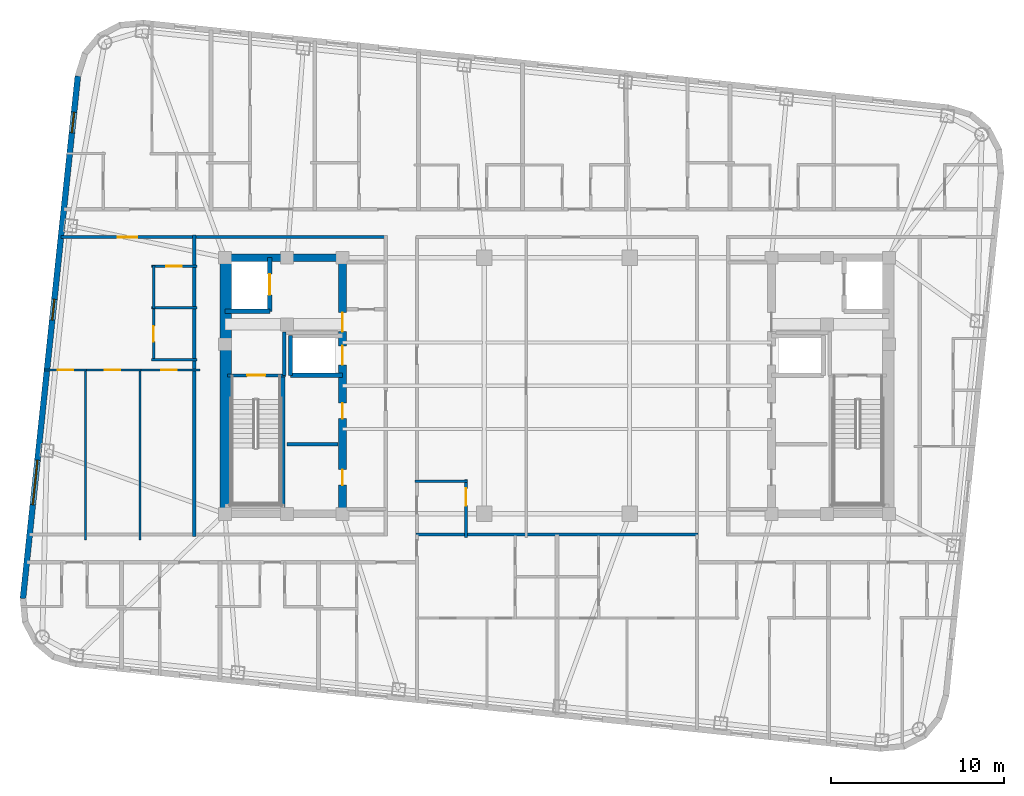
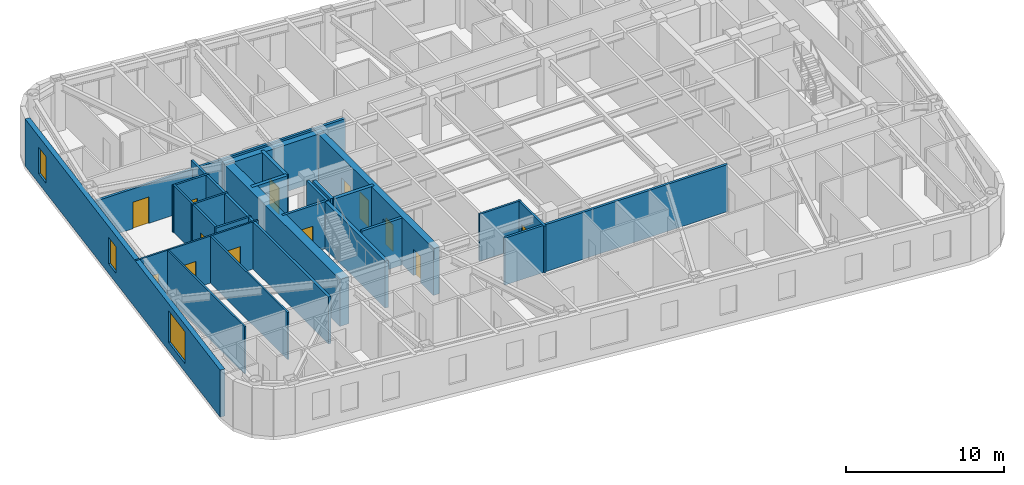
# One storey, part 4 of 11: 27 walls, 13 doors, 3 windows, 16 openings.
"""IFC4 building model written with IfcOpenShell, lengths in metres."""

from ifc_helpers import new_model, si_unit, direction, frame, frame_2d, origin, place, context, subcontext, project, spatial, rectangle, extrude, material, layer, layer_set, type_object, element, fill, save


model = new_model("IFC4")

# Units and contexts
model_context = context("Model", 3, precision=1e-05, world=origin(), true_north=direction((0.0, 1.0)))
body_context = subcontext(model_context, "Body", "Model", "MODEL_VIEW")
ifc_project = project(units=[si_unit("LENGTHUNIT", "METRE"), si_unit("AREAUNIT", "SQUARE_METRE"), si_unit("VOLUMEUNIT", "CUBIC_METRE"), si_unit("PLANEANGLEUNIT", "RADIAN"), si_unit("MASSUNIT", "GRAM", prefix="KILO")], contexts=[model_context])

# Site, building, storey
site_placement = place(None, origin())
site = spatial("IfcSite", under=ifc_project, at=site_placement, CompositionType="ELEMENT")
building_placement = place(site_placement, origin())
building = spatial("IfcBuilding", under=site, at=building_placement, Name="Voryun Gate Residences", CompositionType="ELEMENT")
storey_placement = place(building_placement, frame((0.0, 0.0, 295.10009765625)))
storey = spatial("IfcBuildingStorey", under=building, at=storey_placement, Name="L73", CompositionType="ELEMENT", Elevation=295.10009765625)

# Wall
ifc_material_1 = material(Name="Concrete C50/60", Category="concrete")
ifc_layer_1 = layer(ifc_material_1, 0.449951171875, Name="CW_CORE_450")
ifc_layer_set_1 = layer_set([ifc_layer_1], Name="Concrete C50/60")
wall_type_1 = type_object("IfcWallType", Name="CW_CORE_450", PredefinedType="SHEAR", material=ifc_layer_set_1)
wall_1_placement = place(storey_placement, frame((-19.425048828125, 7.39990234375, 0.0), z_axis=(0.0, 0.0, 1.0), x_axis=(1.0, 0.0, 0.0)))
element("IfcWall", 1, at=wall_1_placement, inside=storey, type_object=wall_type_1, Name="L73 Core shear wall CW-L73-WN", PredefinedType="SHEAR", context=body_context, shape_type="SweptSolid", body=[
    extrude(rectangle(XDim=7.25, YDim=0.449951171875, at=frame_2d((3.625, 0.0))), origin(), (0.0, 0.0, 1.0), 3.635009765625),
])

# Wall, openings, doors
wall_2_placement = place(storey_placement, frame((-12.39990234375, -7.39990234375, 0.0), z_axis=(0.0, 0.0, 1.0), x_axis=(0.0, 1.0, 0.0)))
wall_2 = element("IfcWall", 2, at=wall_2_placement, inside=storey, type_object=wall_type_1, Name="L73 Core shear wall CW-L73-WE", PredefinedType="SHEAR", context=body_context, shape_type="SweptSolid", body=[
    extrude(rectangle(XDim=14.7998046875, YDim=0.449951171875, at=frame_2d((7.39990234375, 0.0))), origin(), (0.0, 0.0, 1.0), 3.635009765625),
])
opening_1_placement = place(wall_2_placement, frame((8.60009765625, 0.0, 0.0)))
opening_1 = element("IfcOpeningElement", 3, at=opening_1_placement, cuts=wall_2, Name="Opening LD2", PredefinedType="OPENING", context=body_context, shape_type="SweptSolid", body=[
    extrude(rectangle(XDim=1.10009765625, YDim=2.050048828125, at=frame_2d((0.550048828125, 1.02490234375))), frame((0.0, 0.235107421875, 0.0), z_axis=(0.0, -1.0, 0.0), x_axis=(1.0, 0.0, 0.0)), (0.0, 0.0, 1.0), 0.469970703125),
])
opening_2_placement = place(wall_2_placement, frame((10.530029296875, 0.0, 0.0)))
opening_2 = element("IfcOpeningElement", 4, at=opening_2_placement, cuts=wall_2, Name="Opening D-FD60-2", PredefinedType="OPENING", context=body_context, shape_type="SweptSolid", body=[
    extrude(rectangle(XDim=1.10009765625, YDim=2.050048828125, at=frame_2d((0.550048828125, 1.02490234375))), frame((0.0, 0.235107421875, 0.0), z_axis=(0.0, -1.0, 0.0), x_axis=(1.0, 0.0, 0.0)), (0.0, 0.0, 1.0), 0.469970703125),
])
opening_3_placement = place(wall_2_placement, frame((1.64990234375, 0.0, 0.0)))
opening_3 = element("IfcOpeningElement", 5, at=opening_3_placement, cuts=wall_2, Name="Opening D-FD60-4", PredefinedType="OPENING", context=body_context, shape_type="SweptSolid", body=[
    extrude(rectangle(XDim=0.89990234375, YDim=2.050048828125, at=frame_2d((0.449951171875, 1.02490234375))), frame((0.0, 0.235107421875, 0.0), z_axis=(0.0, -1.0, 0.0), x_axis=(1.0, 0.0, 0.0)), (0.0, 0.0, 1.0), 0.469970703125),
])
opening_4_placement = place(wall_2_placement, frame((5.5, 0.0, 0.0)))
opening_4 = element("IfcOpeningElement", 6, at=opening_4_placement, cuts=wall_2, Name="Opening D-FD60-4", PredefinedType="OPENING", context=body_context, shape_type="SweptSolid", body=[
    extrude(rectangle(XDim=0.89990234375, YDim=2.050048828125, at=frame_2d((0.449951171875, 1.02490234375))), frame((0.0, 0.235107421875, 0.0), z_axis=(0.0, -1.0, 0.0), x_axis=(1.0, 0.0, 0.0)), (0.0, 0.0, 1.0), 0.469970703125),
])
ifc_material_2 = material(Name="Painted steel fire door", Category="steel")
door_type_1 = type_object("IfcDoorType", Name="DR_FD60_FFLOB_1100", OperationType="NOTDEFINED", PredefinedType="DOOR", material=ifc_material_2)
door_1_placement = place(opening_2_placement, origin())
door_1 = element("IfcDoor", 7, at=door_1_placement, inside=storey, type_object=door_type_1, Name="Door DR-L73-CLOB-W", OperationType="SINGLE_SWING_LEFT", OverallHeight=2.050048828125, OverallWidth=1.10009765625, PredefinedType="DOOR", context=body_context, shape_type="SweptSolid", body=[
    extrude(rectangle(XDim=1.10009765625, YDim=2.050048828125, at=frame_2d((0.550048828125, 1.02490234375))), frame((0.0, 0.02490234375, 0.0), z_axis=(0.0, -1.0, 0.0), x_axis=(1.0, 0.0, 0.0)), (0.0, 0.0, 1.0), 0.050048828125),
])
fill(opening_2, door_1)
ifc_material_3 = material(Name="Painted steel fire door", Category="steel")
door_type_2 = type_object("IfcDoorType", Name="DR_FD60_RISER_900", OperationType="NOTDEFINED", PredefinedType="DOOR", material=ifc_material_3)
door_2_placement = place(opening_3_placement, origin())
door_2 = element("IfcDoor", 8, at=door_2_placement, inside=storey, type_object=door_type_2, Name="Door DR-L73-RECW-HS", OperationType="SINGLE_SWING_LEFT", OverallHeight=2.050048828125, OverallWidth=0.89990234375, PredefinedType="DOOR", context=body_context, shape_type="SweptSolid", body=[
    extrude(rectangle(XDim=0.89990234375, YDim=2.050048828125, at=frame_2d((0.449951171875, 1.02490234375))), frame((0.0, 0.02490234375, 0.0), z_axis=(0.0, -1.0, 0.0), x_axis=(1.0, 0.0, 0.0)), (0.0, 0.0, 1.0), 0.050048828125),
])
fill(opening_3, door_2)
door_3_placement = place(opening_4_placement, origin())
door_3 = element("IfcDoor", 9, at=door_3_placement, inside=storey, type_object=door_type_2, Name="Door DR-L73-RECW-HN", OperationType="SINGLE_SWING_RIGHT", OverallHeight=2.050048828125, OverallWidth=0.89990234375, PredefinedType="DOOR", context=body_context, shape_type="SweptSolid", body=[
    extrude(rectangle(XDim=0.89990234375, YDim=2.050048828125, at=frame_2d((0.449951171875, 1.02490234375))), frame((0.0, 0.02490234375, 0.0), z_axis=(0.0, -1.0, 0.0), x_axis=(1.0, 0.0, 0.0)), (0.0, 0.0, 1.0), 0.050048828125),
])
fill(opening_4, door_3)
ifc_material_4 = material(Name="Anodised aluminium", Category="aluminium")
door_type_3 = type_object("IfcDoorType", Name="DR_LD_PASS_1100", OperationType="NOTDEFINED", PredefinedType="DOOR", material=ifc_material_4)
door_4_placement = place(opening_1_placement, origin())
door_4 = element("IfcDoor", 10, at=door_4_placement, inside=storey, type_object=door_type_3, Name="Lift EL-P7 sliding landing door L73", OperationType="SLIDING_TO_LEFT", OverallHeight=2.050048828125, OverallWidth=1.10009765625, PredefinedType="DOOR", context=body_context, shape_type="SweptSolid", body=[
    extrude(rectangle(XDim=1.10009765625, YDim=2.050048828125, at=frame_2d((0.550048828125, 1.02490234375))), frame((0.0, 0.02490234375, 0.0), z_axis=(0.0, -1.0, 0.0), x_axis=(1.0, 0.0, 0.0)), (0.0, 0.0, 1.0), 0.050048828125),
])
fill(opening_1, door_4)

# Wall
ifc_material_5 = material(Name="Concrete C60/75", Category="concrete")
ifc_layer_2 = layer(ifc_material_5, 0.64990234375, Name="CW_CORE_650")
ifc_layer_set_2 = layer_set([ifc_layer_2], Name="Concrete C60/75")
wall_type_2 = type_object("IfcWallType", Name="CW_CORE_650", PredefinedType="SHEAR", material=ifc_layer_set_2)
wall_3_placement = place(storey_placement, frame((-19.14501953125, -7.39990234375, 0.0), z_axis=(0.0, 0.0, 1.0), x_axis=(0.0, 1.0, 0.0)))
element("IfcWall", 11, at=wall_3_placement, inside=storey, type_object=wall_type_2, Name="L73 Core shear wall CW-L73-WW", PredefinedType="SHEAR", context=body_context, shape_type="SweptSolid", body=[
    extrude(rectangle(XDim=14.7998046875, YDim=0.64990234375, at=frame_2d((7.39990234375, 0.0))), origin(), (0.0, 0.0, 1.0), 3.635009765625),
])

# Wall, opening, door
ifc_material_6 = material(Name="Gypsum acoustic fireboard")
ifc_layer_3 = layer(ifc_material_6, 0.179931640625, Name="W_CORR_RATED_180")
ifc_layer_set_3 = layer_set([ifc_layer_3], Name="Gypsum acoustic fireboard")
wall_type_3 = type_object("IfcWallType", Name="W_CORR_RATED_180", PredefinedType="PARTITIONING", material=ifc_layer_set_3)
wall_4_placement = place(storey_placement, frame((-19.06005859375, 0.60009765625, 0.0), z_axis=(0.0, 0.0, 1.0), x_axis=(1.0, 0.0, 0.0)))
wall_4 = element("IfcWall", 12, at=wall_4_placement, inside=storey, type_object=wall_type_3, Name="Partition wall WP-L73-STV-W", PredefinedType="PARTITIONING", context=body_context, shape_type="SweptSolid", body=[
    extrude(rectangle(XDim=3.360107421875, YDim=0.179931640625, at=frame_2d((1.68017578125, 0.0))), origin(), (0.0, 0.0, 1.0), 3.635009765625),
])
opening_5_placement = place(wall_4_placement, frame((1.155029296875, 0.0, 0.0)))
opening_5 = element("IfcOpeningElement", 13, at=opening_5_placement, cuts=wall_4, Name="Opening D-FD60-1", PredefinedType="OPENING", context=body_context, shape_type="SweptSolid", body=[
    extrude(rectangle(XDim=1.050048828125, YDim=2.050048828125, at=frame_2d((0.52490234375, 1.02490234375))), frame((0.0, 0.099853515625, 0.0), z_axis=(0.0, -1.0, 0.0), x_axis=(1.0, 0.0, 0.0)), (0.0, 0.0, 1.0), 0.199951171875),
])
ifc_material_7 = material(Name="Painted steel fire door", Category="steel")
door_type_4 = type_object("IfcDoorType", Name="DR_FD60_STAIR_1050", OperationType="NOTDEFINED", PredefinedType="DOOR", material=ifc_material_7)
door_5_placement = place(opening_5_placement, origin())
door_5 = element("IfcDoor", 14, at=door_5_placement, inside=storey, type_object=door_type_4, Name="Door DR-L73-ST-W", OperationType="SINGLE_SWING_LEFT", OverallHeight=2.050048828125, OverallWidth=1.050048828125, PredefinedType="DOOR", context=body_context, shape_type="SweptSolid", body=[
    extrude(rectangle(XDim=1.050048828125, YDim=2.050048828125, at=frame_2d((0.52490234375, 1.02490234375))), frame((0.0, 0.02490234375, 0.0), z_axis=(0.0, -1.0, 0.0), x_axis=(1.0, 0.0, 0.0)), (0.0, 0.0, 1.0), 0.050048828125),
])
fill(opening_5, door_5)

wall_5_placement = place(storey_placement, frame((-28.6748046875, 8.590087890625, 0.0), z_axis=(0.0, 0.0, 1.0), x_axis=(1.0, 0.0, 0.0)))
wall_5 = element("IfcWall", 15, at=wall_5_placement, inside=storey, type_object=wall_type_3, Name="Partition wall WP-L73-CWING-WN", PredefinedType="PARTITIONING", context=body_context, shape_type="SweptSolid", body=[
    extrude(rectangle(XDim=18.794921875, YDim=0.179931640625, at=frame_2d((9.3974609375, 0.0))), origin(), (0.0, 0.0, 1.0), 3.074951171875),
])
opening_6_placement = place(wall_5_placement, frame((3.272216796875, 0.0, 0.0)))
opening_6 = element("IfcOpeningElement", 16, at=opening_6_placement, cuts=wall_5, Name="Opening D-UNIT-1", PredefinedType="OPENING", context=body_context, shape_type="SweptSolid", body=[
    extrude(rectangle(XDim=1.14990234375, YDim=2.050048828125, at=frame_2d((0.574951171875, 1.02490234375))), frame((0.0, 0.099853515625, 0.0), z_axis=(0.0, -1.0, 0.0), x_axis=(1.0, 0.0, 0.0)), (0.0, 0.0, 1.0), 0.199951171875),
])
ifc_material_8 = material(Name="Armoured timber-clad fire door", Category="wood")
door_type_5 = type_object("IfcDoorType", Name="DR_UNIT_ENTRY_1150", OperationType="NOTDEFINED", PredefinedType="DOOR", material=ifc_material_8)
door_6_placement = place(opening_6_placement, origin())
door_6 = element("IfcDoor", 17, at=door_6_placement, inside=storey, type_object=door_type_5, Name="Door DR-L73-WE1N", OperationType="SINGLE_SWING_LEFT", OverallHeight=2.050048828125, OverallWidth=1.14990234375, PredefinedType="DOOR", context=body_context, shape_type="SweptSolid", body=[
    extrude(rectangle(XDim=1.14990234375, YDim=2.050048828125, at=frame_2d((0.574951171875, 1.02490234375))), frame((0.0, 0.02490234375, 0.0), z_axis=(0.0, -1.0, 0.0), x_axis=(1.0, 0.0, 0.0)), (0.0, 0.0, 1.0), 0.050048828125),
])
fill(opening_6, door_6)

# Walls
wall_6_placement = place(storey_placement, frame((-8.14990234375, -8.590087890625, 0.0), z_axis=(0.0, 0.0, 1.0), x_axis=(1.0, 0.0, 0.0)))
element("IfcWall", 18, at=wall_6_placement, inside=storey, type_object=wall_type_3, Name="Partition wall WP-L73-Z3S", PredefinedType="PARTITIONING", context=body_context, shape_type="SweptSolid", body=[
    extrude(rectangle(XDim=16.2998046875, YDim=0.179931640625, at=frame_2d((8.14990234375, 0.0))), origin(), (0.0, 0.0, 1.0), 3.635009765625),
])
wall_7_placement = place(storey_placement, frame((-20.969970703125, -8.7099609375, 0.0), z_axis=(0.0, 0.0, 1.0), x_axis=(0.0, 1.0, 0.0)))
element("IfcWall", 19, at=wall_7_placement, inside=storey, type_object=wall_type_3, Name="Partition wall WP-L73-WCOR", PredefinedType="PARTITIONING", context=body_context, shape_type="SweptSolid", body=[
    extrude(rectangle(XDim=17.419921875, YDim=0.179931640625, at=frame_2d((8.7099609375, 0.0))), origin(), (0.0, 0.0, 1.0), 3.635009765625),
])

# Wall, openings, windows
ifc_material_9 = material(Name="Charcoal terracotta masonry", Category="masonry")
ifc_layer_4 = layer(ifc_material_9, 0.340087890625, Name="W_EXT_TERRACOTTA_340")
ifc_layer_set_4 = layer_set([ifc_layer_4], Name="Charcoal terracotta masonry")
wall_type_4 = type_object("IfcWallType", Name="W_EXT_TERRACOTTA_340", PredefinedType="ELEMENTEDWALL", material=ifc_layer_set_4)
wall_8_placement = place(storey_placement, frame((-30.8701171875, -12.295654296875, 0.0), z_axis=(0.0, 0.0, 1.0), x_axis=(0.104533282919, 0.994521388791, 0.0)))
wall_8 = element("IfcWall", 20, at=wall_8_placement, inside=storey, type_object=wall_type_4, Name="Exterior wall WEXT-L73-06", PredefinedType="ELEMENTEDWALL", context=body_context, shape_type="SweptSolid", body=[
    extrude(rectangle(XDim=30.366455078125, YDim=0.340087890625, at=frame_2d((15.18310546875, 0.0))), origin(), (0.0, 0.0, 1.0), 3.635009765625),
])
opening_7_placement = place(wall_8_placement, frame((5.441650390625, 0.0, 0.64990234375)))
opening_7 = element("IfcOpeningElement", 21, at=opening_7_placement, cuts=wall_8, Name="Opening WN4", PredefinedType="OPENING", context=body_context, shape_type="SweptSolid", body=[
    extrude(rectangle(XDim=2.60009765625, YDim=2.449951171875, at=frame_2d((1.300048828125, 1.22509765625))), frame((0.0, 0.179931640625, 0.0), z_axis=(0.0, -1.0, 0.0), x_axis=(1.0, 0.0, 0.0)), (0.0, 0.0, 1.0), 0.360107421875),
])
opening_8_placement = place(wall_8_placement, frame((27.066650390625, 0.0, 0.75)))
opening_8 = element("IfcOpeningElement", 22, at=opening_8_placement, cuts=wall_8, Name="Opening WN6", PredefinedType="OPENING", context=body_context, shape_type="SweptSolid", body=[
    extrude(rectangle(XDim=1.199951171875, YDim=2.050048828125, at=frame_2d((0.60009765625, 1.02490234375))), frame((0.0, 0.179931640625, 0.0), z_axis=(0.0, -1.0, 0.0), x_axis=(1.0, 0.0, 0.0)), (0.0, 0.0, 1.0), 0.360107421875),
])
opening_9_placement = place(wall_8_placement, frame((16.184814453125, 0.0, 0.75)))
opening_9 = element("IfcOpeningElement", 23, at=opening_9_placement, cuts=wall_8, Name="Opening WN6", PredefinedType="OPENING", context=body_context, shape_type="SweptSolid", body=[
    extrude(rectangle(XDim=1.199951171875, YDim=2.050048828125, at=frame_2d((0.60009765625, 1.02490234375))), frame((0.0, 0.179931640625, 0.0), z_axis=(0.0, -1.0, 0.0), x_axis=(1.0, 0.0, 0.0)), (0.0, 0.0, 1.0), 0.360107421875),
])
ifc_material_10 = material(Name="Laminated low-E glass", Category="glass")
window_type_1 = type_object("IfcWindowType", Name="WN_PENT_TALL_2600", PartitioningType="SINGLE_PANEL", PredefinedType="WINDOW", material=ifc_material_10)
window_1_placement = place(opening_7_placement, origin())
window_1 = element("IfcWindow", 24, at=window_1_placement, inside=storey, type_object=window_type_1, Name="Window WN-WEXT-L73-06-01", OverallHeight=2.449951171875, OverallWidth=2.60009765625, PartitioningType="SINGLE_PANEL", PredefinedType="WINDOW", context=body_context, shape_type="SweptSolid", body=[
    extrude(rectangle(XDim=2.60009765625, YDim=2.449951171875, at=frame_2d((1.300048828125, 1.22509765625))), frame((0.0, 0.030029296875, 0.0), z_axis=(0.0, -1.0, 0.0), x_axis=(1.0, 0.0, 0.0)), (0.0, 0.0, 1.0), 0.06005859375),
])
fill(opening_7, window_1)
ifc_material_11 = material(Name="Laminated low-E glass", Category="glass")
window_type_2 = type_object("IfcWindowType", Name="WN_POD_SLOT_1200", PartitioningType="SINGLE_PANEL", PredefinedType="WINDOW", material=ifc_material_11)
window_2_placement = place(opening_8_placement, origin())
window_2 = element("IfcWindow", 25, at=window_2_placement, inside=storey, type_object=window_type_2, Name="Window WN-L73-DWFIX-01", OverallHeight=2.050048828125, OverallWidth=1.199951171875, PartitioningType="SINGLE_PANEL", PredefinedType="WINDOW", context=body_context, shape_type="SweptSolid", body=[
    extrude(rectangle(XDim=1.199951171875, YDim=2.050048828125, at=frame_2d((0.60009765625, 1.02490234375))), frame((0.0, 0.030029296875, 0.0), z_axis=(0.0, -1.0, 0.0), x_axis=(1.0, 0.0, 0.0)), (0.0, 0.0, 1.0), 0.06005859375),
])
fill(opening_8, window_2)
window_3_placement = place(opening_9_placement, origin())
window_3 = element("IfcWindow", 26, at=window_3_placement, inside=storey, type_object=window_type_2, Name="Window WN-L73-DWFIX-25", OverallHeight=2.050048828125, OverallWidth=1.199951171875, PartitioningType="SINGLE_PANEL", PredefinedType="WINDOW", context=body_context, shape_type="SweptSolid", body=[
    extrude(rectangle(XDim=1.199951171875, YDim=2.050048828125, at=frame_2d((0.60009765625, 1.02490234375))), frame((0.0, 0.030029296875, 0.0), z_axis=(0.0, -1.0, 0.0), x_axis=(1.0, 0.0, 0.0)), (0.0, 0.0, 1.0), 0.06005859375),
])
fill(opening_9, window_3)

# Walls
ifc_material_12 = material(Name="Concrete C40/50", Category="concrete")
ifc_layer_5 = layer(ifc_material_12, 0.199951171875, Name="W_FF_LOBBY_200")
ifc_layer_set_5 = layer_set([ifc_layer_5], Name="Concrete C40/50")
wall_type_5 = type_object("IfcWallType", Name="W_FF_LOBBY_200", PredefinedType="PARTITIONING", material=ifc_layer_set_5)
wall_9_placement = place(storey_placement, frame((-15.760009765625, 0.580078125, 0.0), z_axis=(0.0, 0.0, 1.0), x_axis=(0.0, 1.0, 0.0)))
element("IfcWall", 27, at=wall_9_placement, inside=storey, type_object=wall_type_5, Name="Partition wall WP-L73-FFP0-W", PredefinedType="PARTITIONING", context=body_context, shape_type="SweptSolid", body=[
    extrude(rectangle(XDim=2.52001953125, YDim=0.199951171875, at=frame_2d((1.260009765625, 0.0))), origin(), (0.0, 0.0, 1.0), 3.635009765625),
])
wall_10_placement = place(storey_placement, frame((-15.60009765625, -3.389892578125, 0.0), z_axis=(0.0, 0.0, 1.0), x_axis=(1.0, 0.0, 0.0)))
element("IfcWall", 28, at=wall_10_placement, inside=storey, type_object=wall_type_5, Name="Partition wall WP-L73-RECEY-W", PredefinedType="PARTITIONING", context=body_context, shape_type="SweptSolid", body=[
    extrude(rectangle(XDim=2.940185546875, YDim=0.199951171875, at=frame_2d((1.47021484375, 0.0))), origin(), (0.0, 0.0, 1.0), 3.635009765625),
])
ifc_material_13 = material(Name="Concrete C50/60", Category="concrete")
ifc_layer_6 = layer(ifc_material_13, 0.25, Name="W_SHAFT_RC250")
ifc_layer_set_6 = layer_set([ifc_layer_6], Name="Concrete C50/60")
wall_type_6 = type_object("IfcWallType", Name="W_SHAFT_RC250", PredefinedType="SOLIDWALL", material=ifc_layer_set_6)
wall_11_placement = place(storey_placement, frame((-15.860107421875, -7.0849609375, 0.0), z_axis=(0.0, 0.0, 1.0), x_axis=(0.0, 1.0, 0.0)))
element("IfcWall", 29, at=wall_11_placement, inside=storey, type_object=wall_type_6, Name="L73 Stair shaft structural wall W-STR", PredefinedType="SOLIDWALL", context=body_context, shape_type="SweptSolid", body=[
    extrude(rectangle(XDim=7.68505859375, YDim=0.25, at=frame_2d((3.842529296875, 0.0))), origin(), (0.0, 0.0, 1.0), 3.635009765625),
])
wall_12_placement = place(storey_placement, frame((-19.199951171875, 4.300048828125, 0.0), z_axis=(0.0, 0.0, 1.0), x_axis=(1.0, 0.0, 0.0)))
element("IfcWall", 30, at=wall_12_placement, inside=storey, type_object=wall_type_6, Name="Lift shaft wall WSH-L73-EL-FF-W1-S", PredefinedType="SOLIDWALL", context=body_context, shape_type="SweptSolid", body=[
    extrude(rectangle(XDim=2.599853515625, YDim=0.25, at=frame_2d((1.2998046875, 0.0))), origin(), (0.0, 0.0, 1.0), 3.635009765625),
])

# Wall, opening, door
wall_13_placement = place(storey_placement, frame((-16.60009765625, 4.300048828125, 0.0), z_axis=(0.0, 0.0, 1.0), x_axis=(0.0, 1.0, 0.0)))
wall_13 = element("IfcWall", 31, at=wall_13_placement, inside=storey, type_object=wall_type_6, Name="Lift shaft wall WSH-L73-EL-FF-W1-E", PredefinedType="SOLIDWALL", context=body_context, shape_type="SweptSolid", body=[
    extrude(rectangle(XDim=3.099853515625, YDim=0.25, at=frame_2d((1.5498046875, 0.0))), origin(), (0.0, 0.0, 1.0), 3.635009765625),
])
opening_10_placement = place(wall_13_placement, frame((0.949951171875, 0.0, 0.0)))
opening_10 = element("IfcOpeningElement", 32, at=opening_10_placement, cuts=wall_13, Name="Opening LD1", PredefinedType="OPENING", context=body_context, shape_type="SweptSolid", body=[
    extrude(rectangle(XDim=1.199951171875, YDim=2.050048828125, at=frame_2d((0.60009765625, 1.02490234375))), frame((0.0, 0.135009765625, 0.0), z_axis=(0.0, -1.0, 0.0), x_axis=(1.0, 0.0, 0.0)), (0.0, 0.0, 1.0), 0.27001953125),
])
ifc_material_14 = material(Name="Anodised aluminium", Category="aluminium")
door_type_6 = type_object("IfcDoorType", Name="DR_LD_FF_1200", OperationType="NOTDEFINED", PredefinedType="DOOR", material=ifc_material_14)
door_7_placement = place(opening_10_placement, origin())
door_7 = element("IfcDoor", 33, at=door_7_placement, inside=storey, type_object=door_type_6, Name="Lift EL-FF-W1 sliding landing door L73", OperationType="SLIDING_TO_LEFT", OverallHeight=2.050048828125, OverallWidth=1.199951171875, PredefinedType="DOOR", context=body_context, shape_type="SweptSolid", body=[
    extrude(rectangle(XDim=1.199951171875, YDim=2.050048828125, at=frame_2d((0.60009765625, 1.02490234375))), frame((0.0, 0.02490234375, 0.0), z_axis=(0.0, -1.0, 0.0), x_axis=(1.0, 0.0, 0.0)), (0.0, 0.0, 1.0), 0.050048828125),
])
fill(opening_10, door_7)

# Walls
wall_14_placement = place(storey_placement, frame((-15.39990234375, 0.60009765625, 0.0), z_axis=(0.0, 0.0, 1.0), x_axis=(1.0, 0.0, 0.0)))
element("IfcWall", 34, at=wall_14_placement, inside=storey, type_object=wall_type_6, Name="Lift shaft wall WSH-L73-EL-P7-S", PredefinedType="SOLIDWALL", context=body_context, shape_type="SweptSolid", body=[
    extrude(rectangle(XDim=3.0, YDim=0.25, at=frame_2d((1.5, 0.0))), origin(), (0.0, 0.0, 1.0), 3.635009765625),
])
wall_15_placement = place(storey_placement, frame((-15.39990234375, 2.89990234375, 0.0), z_axis=(0.0, 0.0, 1.0), x_axis=(0.0, -1.0, 0.0)))
element("IfcWall", 35, at=wall_15_placement, inside=storey, type_object=wall_type_6, Name="Lift shaft wall WSH-L73-EL-P7-W", PredefinedType="SOLIDWALL", context=body_context, shape_type="SweptSolid", body=[
    extrude(rectangle(XDim=2.2998046875, YDim=0.25, at=frame_2d((1.14990234375, 0.0))), origin(), (0.0, 0.0, 1.0), 3.635009765625),
])

# Wall, opening, door
ifc_material_15 = material(Name="Gypsum acoustic partition")
ifc_layer_7 = layer(ifc_material_15, 0.125, Name="W_UNIT_PART_125")
ifc_layer_set_7 = layer_set([ifc_layer_7], Name="Gypsum acoustic partition")
wall_type_7 = type_object("IfcWallType", Name="W_UNIT_PART_125", PredefinedType="PARTITIONING", material=ifc_layer_set_7)
wall_16_placement = place(storey_placement, frame((-29.633056640625, 0.909912109375, 0.0), z_axis=(0.0, 0.0, 1.0), x_axis=(1.0, 0.0, 0.0)))
wall_16 = element("IfcWall", 36, at=wall_16_placement, inside=storey, type_object=wall_type_7, Name="Partition wall WP-L73-W1-HZMB1", PredefinedType="PARTITIONING", context=body_context, shape_type="SweptSolid", body=[
    extrude(rectangle(XDim=2.443603515625, YDim=0.125, at=frame_2d((1.2216796875, 0.0))), origin(), (0.0, 0.0, 1.0), 3.635009765625),
])
opening_11_placement = place(wall_16_placement, frame((0.780517578125, 0.0, 0.0)))
opening_11 = element("IfcOpeningElement", 37, at=opening_11_placement, cuts=wall_16, Name="Opening D-INT-2", PredefinedType="OPENING", context=body_context, shape_type="SweptSolid", body=[
    extrude(rectangle(XDim=0.89990234375, YDim=2.050048828125, at=frame_2d((0.449951171875, 1.02490234375))), frame((0.0, 0.072509765625, 0.0), z_axis=(0.0, -1.0, 0.0), x_axis=(1.0, 0.0, 0.0)), (0.0, 0.0, 1.0), 0.14501953125),
])
ifc_material_16 = material(Name="Architectural oak veneer")
door_type_7 = type_object("IfcDoorType", Name="DR_INT_BATH_900", OperationType="NOTDEFINED", PredefinedType="DOOR", material=ifc_material_16)
door_8_placement = place(opening_11_placement, origin())
door_8 = element("IfcDoor", 38, at=door_8_placement, inside=storey, type_object=door_type_7, Name="Door DR-L73-W1-DMB", OperationType="SINGLE_SWING_LEFT", OverallHeight=2.050048828125, OverallWidth=0.89990234375, PredefinedType="DOOR", context=body_context, shape_type="SweptSolid", body=[
    extrude(rectangle(XDim=0.89990234375, YDim=2.050048828125, at=frame_2d((0.449951171875, 1.02490234375))), frame((0.0, 0.02490234375, 0.0), z_axis=(0.0, -1.0, 0.0), x_axis=(1.0, 0.0, 0.0)), (0.0, 0.0, 1.0), 0.050048828125),
])
fill(opening_11, door_8)

wall_17_placement = place(storey_placement, frame((-27.314453125, 0.909912109375, 0.0), z_axis=(0.0, 0.0, 1.0), x_axis=(1.0, 0.0, 0.0)))
wall_17 = element("IfcWall", 39, at=wall_17_placement, inside=storey, type_object=wall_type_7, Name="Partition wall WP-L73-W1-HZMB2", PredefinedType="PARTITIONING", context=body_context, shape_type="SweptSolid", body=[
    extrude(rectangle(XDim=3.265869140625, YDim=0.125, at=frame_2d((1.6328125, 0.0))), origin(), (0.0, 0.0, 1.0), 3.635009765625),
])
opening_12_placement = place(wall_17_placement, frame((1.18310546875, 0.0, 0.0)))
opening_12 = element("IfcOpeningElement", 40, at=opening_12_placement, cuts=wall_17, Name="Opening D-INT-2", PredefinedType="OPENING", context=body_context, shape_type="SweptSolid", body=[
    extrude(rectangle(XDim=0.89990234375, YDim=2.050048828125, at=frame_2d((0.449951171875, 1.02490234375))), frame((0.0, 0.072509765625, 0.0), z_axis=(0.0, -1.0, 0.0), x_axis=(1.0, 0.0, 0.0)), (0.0, 0.0, 1.0), 0.14501953125),
])
door_9_placement = place(opening_12_placement, origin())
door_9 = element("IfcDoor", 41, at=door_9_placement, inside=storey, type_object=door_type_7, Name="Door DR-L73-W1-DBD2", OperationType="SINGLE_SWING_RIGHT", OverallHeight=2.050048828125, OverallWidth=0.89990234375, PredefinedType="DOOR", context=body_context, shape_type="SweptSolid", body=[
    extrude(rectangle(XDim=0.89990234375, YDim=2.050048828125, at=frame_2d((0.449951171875, 1.02490234375))), frame((0.0, 0.02490234375, 0.0), z_axis=(0.0, -1.0, 0.0), x_axis=(1.0, 0.0, 0.0)), (0.0, 0.0, 1.0), 0.050048828125),
])
fill(opening_12, door_9)

wall_18_placement = place(storey_placement, frame((-24.173583984375, 0.909912109375, 0.0), z_axis=(0.0, 0.0, 1.0), x_axis=(1.0, 0.0, 0.0)))
wall_18 = element("IfcWall", 42, at=wall_18_placement, inside=storey, type_object=wall_type_7, Name="Partition wall WP-L73-W1-HZMB3", PredefinedType="PARTITIONING", context=body_context, shape_type="SweptSolid", body=[
    extrude(rectangle(XDim=3.523681640625, YDim=0.125, at=frame_2d((1.76171875, 0.0))), origin(), (0.0, 0.0, 1.0), 3.635009765625),
])
opening_13_placement = place(wall_18_placement, frame((1.302978515625, 0.0, 0.0)))
opening_13 = element("IfcOpeningElement", 43, at=opening_13_placement, cuts=wall_18, Name="Opening D-INT-2", PredefinedType="OPENING", context=body_context, shape_type="SweptSolid", body=[
    extrude(rectangle(XDim=0.89990234375, YDim=2.050048828125, at=frame_2d((0.449951171875, 1.02490234375))), frame((0.0, 0.072509765625, 0.0), z_axis=(0.0, -1.0, 0.0), x_axis=(1.0, 0.0, 0.0)), (0.0, 0.0, 1.0), 0.14501953125),
])
door_10_placement = place(opening_13_placement, origin())
door_10 = element("IfcDoor", 44, at=door_10_placement, inside=storey, type_object=door_type_7, Name="Door DR-L73-W1-DBD3", OperationType="SINGLE_SWING_LEFT", OverallHeight=2.050048828125, OverallWidth=0.89990234375, PredefinedType="DOOR", context=body_context, shape_type="SweptSolid", body=[
    extrude(rectangle(XDim=0.89990234375, YDim=2.050048828125, at=frame_2d((0.449951171875, 1.02490234375))), frame((0.0, 0.02490234375, 0.0), z_axis=(0.0, -1.0, 0.0), x_axis=(1.0, 0.0, 0.0)), (0.0, 0.0, 1.0), 0.050048828125),
])
fill(opening_13, door_10)

# Walls
for number, where, z_axis, x_axis, name in (
    (45, (-24.111083984375, -8.909912109375, 0.0), (0.0, 0.0, 1.0), (0.0, 1.0, 0.0), "Partition wall WP-L73-W1-VMB2"),
    (46, (-27.251953125, -8.909912109375, 0.0), (0.0, 0.0, 1.0), (0.0, 1.0, 0.0), "Partition wall WP-L73-W1-VMB"),
):
    element("IfcWall", number, at=place(storey_placement, frame(where, z_axis=z_axis, x_axis=x_axis)), inside=storey, type_object=wall_type_7, Name=name, PredefinedType="PARTITIONING", context=body_context, shape_type="SweptSolid", body=[
        extrude(rectangle(XDim=9.8798828125, YDim=0.125, at=frame_2d((4.93994140625, 0.0))), origin(), (0.0, 0.0, 1.0), 3.635009765625),
    ])

# Wall, opening, door
ifc_material_17 = material(Name="Gypsum moisture-resistant partition")
ifc_layer_8 = layer(ifc_material_17, 0.14990234375, Name="W_WET_PLUMB_150")
ifc_layer_set_8 = layer_set([ifc_layer_8], Name="Gypsum moisture-resistant partition")
wall_type_8 = type_object("IfcWallType", Name="W_WET_PLUMB_150", PredefinedType="PLUMBINGWALL", material=ifc_layer_set_8)
wall_19_placement = place(storey_placement, frame((-5.260009765625, -8.77001953125, 0.0), z_axis=(0.0, 0.0, 1.0), x_axis=(0.0, 1.0, 0.0)))
wall_19 = element("IfcWall", 47, at=wall_19_placement, inside=storey, type_object=wall_type_8, Name="Partition wall WP-L73-CMWCX", PredefinedType="PLUMBINGWALL", context=body_context, shape_type="SweptSolid", body=[
    extrude(rectangle(XDim=3.35009765625, YDim=0.14990234375, at=frame_2d((1.675048828125, 0.0))), origin(), (0.0, 0.0, 1.0), 3.635009765625),
])
opening_14_placement = place(wall_19_placement, frame((1.8349609375, 0.0, 0.0)))
opening_14 = element("IfcOpeningElement", 48, at=opening_14_placement, cuts=wall_19, Name="Opening D-AWC-1", PredefinedType="OPENING", context=body_context, shape_type="SweptSolid", body=[
    extrude(rectangle(XDim=1.0, YDim=2.050048828125, at=frame_2d((0.5, 1.02490234375))), frame((0.0, 0.0849609375, 0.0), z_axis=(0.0, -1.0, 0.0), x_axis=(1.0, 0.0, 0.0)), (0.0, 0.0, 1.0), 0.169921875),
])
ifc_material_18 = material(Name="Architectural oak veneer")
door_type_8 = type_object("IfcDoorType", Name="DR_ACC_WC_1000", OperationType="NOTDEFINED", PredefinedType="DOOR", material=ifc_material_18)
door_11_placement = place(opening_14_placement, origin())
door_11 = element("IfcDoor", 49, at=door_11_placement, inside=storey, type_object=door_type_8, Name="Door DR-L73-CMWC", OperationType="SINGLE_SWING_LEFT", OverallHeight=2.050048828125, OverallWidth=1.0, PredefinedType="DOOR", context=body_context, shape_type="SweptSolid", body=[
    extrude(rectangle(XDim=1.0, YDim=2.050048828125, at=frame_2d((0.5, 1.02490234375))), frame((0.0, 0.02490234375, 0.0), z_axis=(0.0, -1.0, 0.0), x_axis=(1.0, 0.0, 0.0)), (0.0, 0.0, 1.0), 0.050048828125),
])
fill(opening_14, door_11)

# Wall
wall_20_placement = place(storey_placement, frame((-8.2099609375, -5.52001953125, 0.0), z_axis=(0.0, 0.0, 1.0), x_axis=(1.0, 0.0, 0.0)))
element("IfcWall", 50, at=wall_20_placement, inside=storey, type_object=wall_type_8, Name="Partition wall WP-L73-CMWCY", PredefinedType="PLUMBINGWALL", context=body_context, shape_type="SweptSolid", body=[
    extrude(rectangle(XDim=3.050048828125, YDim=0.14990234375, at=frame_2d((1.52490234375, 0.0))), origin(), (0.0, 0.0, 1.0), 3.635009765625),
])

# Wall, opening, door
wall_21_placement = place(storey_placement, frame((-23.43994140625, 6.89990234375, 0.0), z_axis=(0.0, 0.0, 1.0), x_axis=(1.0, 0.0, 0.0)))
wall_21 = element("IfcWall", 51, at=wall_21_placement, inside=storey, type_object=wall_type_8, Name="Partition wall WP-L73-W1-IBT", PredefinedType="PLUMBINGWALL", context=body_context, shape_type="SweptSolid", body=[
    extrude(rectangle(XDim=2.619873046875, YDim=0.14990234375, at=frame_2d((1.31005859375, 0.0))), origin(), (0.0, 0.0, 1.0), 3.635009765625),
])
opening_15_placement = place(wall_21_placement, frame((0.860107421875, 0.0, 0.0)))
opening_15 = element("IfcOpeningElement", 52, at=opening_15_placement, cuts=wall_21, Name="Opening D-INT-2", PredefinedType="OPENING", context=body_context, shape_type="SweptSolid", body=[
    extrude(rectangle(XDim=0.89990234375, YDim=2.050048828125, at=frame_2d((0.449951171875, 1.02490234375))), frame((0.0, 0.0849609375, 0.0), z_axis=(0.0, -1.0, 0.0), x_axis=(1.0, 0.0, 0.0)), (0.0, 0.0, 1.0), 0.169921875),
])
door_12_placement = place(opening_15_placement, origin())
door_12 = element("IfcDoor", 53, at=door_12_placement, inside=storey, type_object=door_type_7, Name="Door DR-L73-W1-DK", OperationType="SINGLE_SWING_LEFT", OverallHeight=2.050048828125, OverallWidth=0.89990234375, PredefinedType="DOOR", context=body_context, shape_type="SweptSolid", body=[
    extrude(rectangle(XDim=0.89990234375, YDim=2.050048828125, at=frame_2d((0.449951171875, 1.02490234375))), frame((0.0, 0.02490234375, 0.0), z_axis=(0.0, -1.0, 0.0), x_axis=(1.0, 0.0, 0.0)), (0.0, 0.0, 1.0), 0.050048828125),
])
fill(opening_15, door_12)

# Walls
for number, where, z_axis, x_axis, name in (
    (54, (-23.43994140625, 4.52001953125, 0.0), (0.0, 0.0, 1.0), (1.0, 0.0, 0.0), "Partition wall WP-L73-W1-IKB"),
    (55, (-23.43994140625, 1.5, 0.0), (0.0, 0.0, 1.0), (1.0, 0.0, 0.0), "Partition wall WP-L73-W1-IBB"),
):
    element("IfcWall", number, at=place(storey_placement, frame(where, z_axis=z_axis, x_axis=x_axis)), inside=storey, type_object=wall_type_8, Name=name, PredefinedType="PLUMBINGWALL", context=body_context, shape_type="SweptSolid", body=[
        extrude(rectangle(XDim=2.619873046875, YDim=0.14990234375, at=frame_2d((1.31005859375, 0.0))), origin(), (0.0, 0.0, 1.0), 3.635009765625),
    ])

# Wall, opening, door
wall_22_placement = place(storey_placement, frame((-23.320068359375, 1.43994140625, 0.0), z_axis=(0.0, 0.0, 1.0), x_axis=(0.0, 1.0, 0.0)))
wall_22 = element("IfcWall", 56, at=wall_22_placement, inside=storey, type_object=wall_type_8, Name="Partition wall WP-L73-W1-VTSK1", PredefinedType="PLUMBINGWALL", context=body_context, shape_type="SweptSolid", body=[
    extrude(rectangle(XDim=3.1201171875, YDim=0.14990234375, at=frame_2d((1.56005859375, 0.0))), origin(), (0.0, 0.0, 1.0), 3.635009765625),
])
opening_16_placement = place(wall_22_placement, frame((1.110107421875, 0.0, 0.0)))
opening_16 = element("IfcOpeningElement", 57, at=opening_16_placement, cuts=wall_22, Name="Opening D-INT-2", PredefinedType="OPENING", context=body_context, shape_type="SweptSolid", body=[
    extrude(rectangle(XDim=0.89990234375, YDim=2.050048828125, at=frame_2d((0.449951171875, 1.02490234375))), frame((0.0, 0.0849609375, 0.0), z_axis=(0.0, -1.0, 0.0), x_axis=(1.0, 0.0, 0.0)), (0.0, 0.0, 1.0), 0.169921875),
])
door_13_placement = place(opening_16_placement, origin())
door_13 = element("IfcDoor", 58, at=door_13_placement, inside=storey, type_object=door_type_7, Name="Door DR-L73-W1-DB", OperationType="SINGLE_SWING_RIGHT", OverallHeight=2.050048828125, OverallWidth=0.89990234375, PredefinedType="DOOR", context=body_context, shape_type="SweptSolid", body=[
    extrude(rectangle(XDim=0.89990234375, YDim=2.050048828125, at=frame_2d((0.449951171875, 1.02490234375))), frame((0.0, 0.02490234375, 0.0), z_axis=(0.0, -1.0, 0.0), x_axis=(1.0, 0.0, 0.0)), (0.0, 0.0, 1.0), 0.050048828125),
])
fill(opening_16, door_13)

# Wall
wall_23_placement = place(storey_placement, frame((-23.320068359375, 4.47998046875, 0.0), z_axis=(0.0, 0.0, 1.0), x_axis=(0.0, 1.0, 0.0)))
element("IfcWall", 59, at=wall_23_placement, inside=storey, type_object=wall_type_8, Name="Partition wall WP-L73-W1-VTSK2", PredefinedType="PLUMBINGWALL", context=body_context, shape_type="SweptSolid", body=[
    extrude(rectangle(XDim=2.47998046875, YDim=0.14990234375, at=frame_2d((1.239990234375, 0.0))), origin(), (0.0, 0.0, 1.0), 3.635009765625),
])

save(model, "model.ifc")
